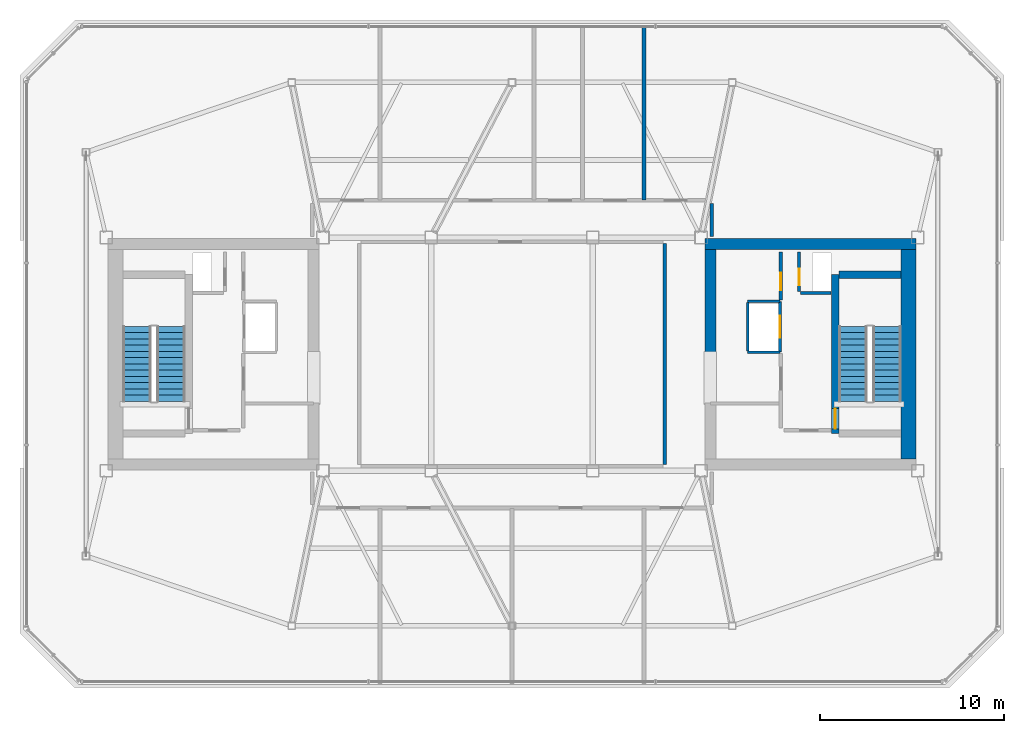
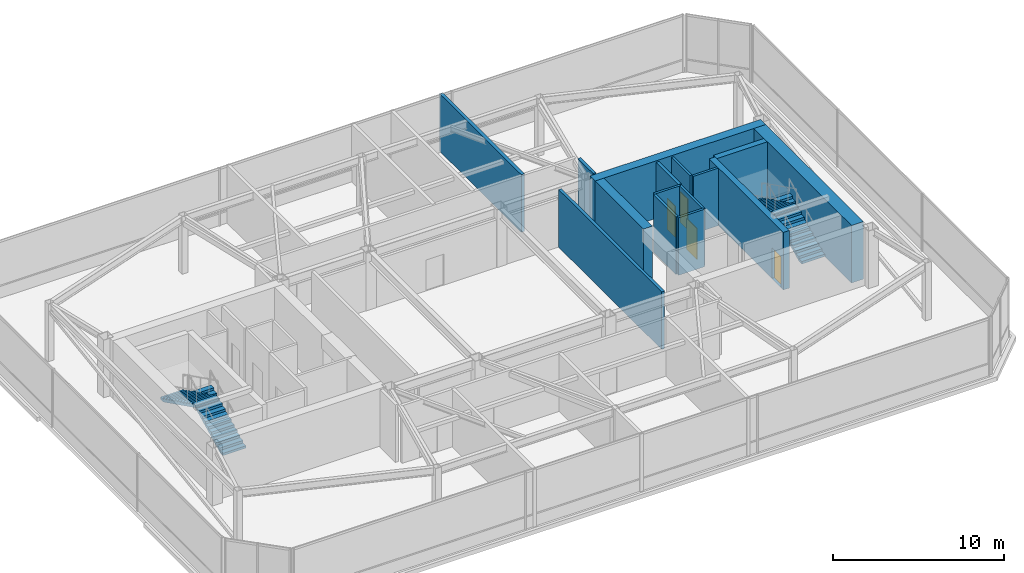
# One storey, part 18 of 21: 15 walls, 4 doors, 4 stair flights, 4 openings, 2 elements without a shape of their own.
"""IFC4 building model written with IfcOpenShell, lengths in metres."""

from ifc_helpers import new_model, si_unit, direction, frame, frame_2d, origin, place, context, subcontext, project, spatial, polyline, rectangle, outline, extrude, material, layer, layer_set, type_object, element, fill, aggregate, save


model = new_model("IFC4")

# Units and contexts
model_context = context("Model", 3, precision=1e-05, world=origin(), true_north=direction((0.0, 1.0)))
body_context = subcontext(model_context, "Body", "Model", "MODEL_VIEW")
ifc_project = project(units=[si_unit("LENGTHUNIT", "METRE"), si_unit("AREAUNIT", "SQUARE_METRE"), si_unit("VOLUMEUNIT", "CUBIC_METRE"), si_unit("PLANEANGLEUNIT", "RADIAN"), si_unit("MASSUNIT", "GRAM", prefix="KILO")], contexts=[model_context])

# Site, building, storey
site_placement = place(None, origin())
site = spatial("IfcSite", under=ifc_project, at=site_placement, CompositionType="ELEMENT")
building_placement = place(site_placement, origin())
building = spatial("IfcBuilding", under=site, at=building_placement, Name="Tavrogorsk Clinical Tower", CompositionType="ELEMENT")
storey_placement = place(building_placement, frame((0.0, 0.0, 344.199951171875)))
storey = spatial("IfcBuildingStorey", under=building, at=storey_placement, Name="L80", CompositionType="ELEMENT", Elevation=344.199951171875)

# Wall, opening, door
ifc_material_1 = material(Name="Concrete B60", Category="concrete")
ifc_layer_1 = layer(ifc_material_1, 0.199951171875)
ifc_layer_set_1 = layer_set([ifc_layer_1], Name="Concrete B60")
wall_type_1 = type_object("IfcWallType", Name="CoreFireWall_200", PredefinedType="SOLIDWALL", material=ifc_layer_set_1)
wall_1_placement = place(storey_placement, frame((14.639892578125, 2.9599609375, 0.0), z_axis=(0.0, 0.0, 1.0), x_axis=(0.0, 1.0, 0.0)))
wall_1 = element("IfcWall", 1, at=wall_1_placement, inside=storey, type_object=wall_type_1, Name="L80 Core East North Core Room East Wall", PredefinedType="SOLIDWALL", context=body_context, shape_type="SweptSolid", body=[
    extrude(rectangle(XDim=2.60009765625, YDim=0.199951171875, at=frame_2d((1.300048828125, 0.0))), origin(), (0.0, 0.0, 1.0), 4.10009765625),
])
opening_1_placement = place(wall_1_placement, frame((0.52001953125, 0.0, 0.0)))
opening_1 = element("IfcOpeningElement", 2, at=opening_1_placement, cuts=wall_1, Name="Opening ID-02", PredefinedType="OPENING", context=body_context, shape_type="SweptSolid", body=[
    extrude(rectangle(XDim=0.949951171875, YDim=2.199951171875, at=frame_2d((0.47509765625, 1.10009765625))), frame((0.0, 0.10986328125, 0.0), z_axis=(0.0, -1.0, 0.0), x_axis=(1.0, 0.0, 0.0)), (0.0, 0.0, 1.0), 0.219970703125),
])
ifc_material_2 = material(Name="Laminated timber leaf on aluminium frame", Category="wood")
door_type_1 = type_object("IfcDoorType", Name="InteriorDoor_ID02_950", OperationType="NOTDEFINED", PredefinedType="DOOR", material=ifc_material_2)
door_1_placement = place(opening_1_placement, origin())
door_1 = element("IfcDoor", 3, at=door_1_placement, inside=storey, type_object=door_type_1, Name="L80 Core East Core Telemetry Room Door", OperationType="SINGLE_SWING_LEFT", OverallHeight=2.199951171875, OverallWidth=0.949951171875, PredefinedType="DOOR", context=body_context, shape_type="SweptSolid", body=[
    extrude(rectangle(XDim=0.949951171875, YDim=2.199951171875, at=frame_2d((0.47509765625, 1.10009765625))), frame((0.0, 0.02490234375, 0.0), z_axis=(0.0, -1.0, 0.0), x_axis=(1.0, 0.0, 0.0)), (0.0, 0.0, 1.0), 0.050048828125),
])
fill(opening_1, door_1)

# Walls
wall_2_placement = place(storey_placement, frame((10.8798828125, 8.195068359375, 0.0), z_axis=(0.0, 0.0, 1.0), x_axis=(0.0, -1.0, 0.0)))
element("IfcWall", 4, at=wall_2_placement, inside=storey, type_object=wall_type_1, Name="L80 Crown Corridor Wall 04", PredefinedType="SOLIDWALL", context=body_context, shape_type="SweptSolid", body=[
    extrude(rectangle(XDim=1.775146484375, YDim=0.199951171875, at=frame_2d((0.8876953125, 0.0))), origin(), (0.0, 0.0, 1.0), 4.10009765625),
])
wall_3_placement = place(storey_placement, frame((8.320068359375, -6.014892578125, 0.0), z_axis=(0.0, 0.0, 1.0), x_axis=(0.0, 1.0, 0.0)))
element("IfcWall", 5, at=wall_3_placement, inside=storey, type_object=wall_type_1, Name="L80 Crown Corridor Wall 07", PredefinedType="SOLIDWALL", context=body_context, shape_type="SweptSolid", body=[
    extrude(rectangle(XDim=12.02978515625, YDim=0.199951171875, at=frame_2d((6.014892578125, 0.0))), origin(), (0.0, 0.0, 1.0), 4.10009765625),
])
ifc_material_3 = material(Name="Concrete B45", Category="concrete")
ifc_layer_2 = layer(ifc_material_3, 0.219970703125)
ifc_layer_set_2 = layer_set([ifc_layer_2], Name="Concrete B45")
wall_type_2 = type_object("IfcWallType", Name="PartitionWall_220", PredefinedType="SOLIDWALL", material=ifc_layer_set_2)
wall_4_placement = place(storey_placement, frame((7.199951171875, 8.405029296875, 0.0), z_axis=(0.0, 0.0, 1.0), x_axis=(0.0, 1.0, 0.0)))
element("IfcWall", 6, at=wall_4_placement, inside=storey, type_object=wall_type_2, Name="L80 Crown Partition 4", PredefinedType="SOLIDWALL", context=body_context, shape_type="SweptSolid", body=[
    extrude(rectangle(XDim=9.52490234375, YDim=0.219970703125, at=frame_2d((4.762451171875, 0.0))), origin(), (0.0, 0.0, 1.0), 4.10009765625),
])

# Wall, opening, door
ifc_material_4 = material(Name="Lightweight concrete blockwork B25", Category="masonry")
ifc_layer_3 = layer(ifc_material_4, 0.159912109375)
ifc_layer_set_3 = layer_set([ifc_layer_3], Name="Lightweight concrete blockwork B25")
wall_type_3 = type_object("IfcWallType", Name="ShaftWall_160", PredefinedType="PARTITIONING", material=ifc_layer_set_3)
wall_5_placement = place(storey_placement, frame((14.60009765625, 0.1201171875, 0.0), z_axis=(0.0, 0.0, 1.0), x_axis=(0.0, 1.0, 0.0)))
wall_5 = element("IfcWall", 7, at=wall_5_placement, inside=storey, type_object=wall_type_3, Name="L80 FFL-E Firefighting Lift Front Wall", PredefinedType="PARTITIONING", context=body_context, shape_type="SweptSolid", body=[
    extrude(rectangle(XDim=2.739990234375, YDim=0.159912109375, at=frame_2d((1.3701171875, 0.0))), origin(), (0.0, 0.0, 1.0), 4.10009765625),
])
opening_2_placement = place(wall_5_placement, frame((0.77001953125, 0.0, 0.0)))
opening_2 = element("IfcOpeningElement", 8, at=opening_2_placement, cuts=wall_5, Name="Opening LD", PredefinedType="OPENING", context=body_context, shape_type="SweptSolid", body=[
    extrude(rectangle(XDim=1.199951171875, YDim=2.199951171875, at=frame_2d((0.60009765625, 1.10009765625))), frame((0.0, 0.08984375, 0.0), z_axis=(0.0, -1.0, 0.0), x_axis=(1.0, 0.0, 0.0)), (0.0, 0.0, 1.0), 0.179931640625),
])
ifc_material_5 = material(Name="Brushed stainless steel AISI 304 sliding doors", Category="steel")
door_type_2 = type_object("IfcDoorType", Name="LiftLandingDoor_LD_1200", OperationType="SLIDING_TO_LEFT", PredefinedType="DOOR", material=ifc_material_5)
door_2_placement = place(opening_2_placement, origin())
door_2 = element("IfcDoor", 9, at=door_2_placement, inside=storey, type_object=door_type_2, Name="L80 FFL-E Sliding Lift Landing Door", OperationType="SLIDING_TO_LEFT", OverallHeight=2.199951171875, OverallWidth=1.199951171875, PredefinedType="DOOR", context=body_context, shape_type="SweptSolid", body=[
    extrude(rectangle(XDim=1.199951171875, YDim=2.199951171875, at=frame_2d((0.60009765625, 1.10009765625))), frame((0.0, 0.02490234375, 0.0), z_axis=(0.0, -1.0, 0.0), x_axis=(1.0, 0.0, 0.0)), (0.0, 0.0, 1.0), 0.050048828125),
])
fill(opening_2, door_2)

# Walls
for number, where, z_axis, x_axis, name in (
    (10, (12.840087890625, 0.10009765625, 0.0), (0.0, 0.0, 1.0), (1.0, 0.0, 0.0), "L80 FFL-E Shaft South Wall"),
    (11, (12.840087890625, 2.8798828125, 0.0), (0.0, 0.0, 1.0), (1.0, 0.0, 0.0), "L80 FFL-E Shaft North Wall"),
):
    element("IfcWall", number, at=place(storey_placement, frame(where, z_axis=z_axis, x_axis=x_axis)), inside=storey, type_object=wall_type_3, Name=name, PredefinedType="PARTITIONING", context=body_context, shape_type="SweptSolid", body=[
        extrude(rectangle(XDim=1.760009765625, YDim=0.159912109375, at=frame_2d((0.8798828125, 0.0))), origin(), (0.0, 0.0, 1.0), 4.10009765625),
    ])
wall_6_placement = place(storey_placement, frame((12.840087890625, 0.179931640625, 0.0), z_axis=(0.0, 0.0, 1.0), x_axis=(0.0, 1.0, 0.0)))
element("IfcWall", 12, at=wall_6_placement, inside=storey, type_object=wall_type_3, Name="L80 FFL-E Shaft Back Wall", PredefinedType="PARTITIONING", context=body_context, shape_type="SweptSolid", body=[
    extrude(rectangle(XDim=2.6201171875, YDim=0.159912109375, at=frame_2d((1.31005859375, 0.0))), origin(), (0.0, 0.0, 1.0), 4.10009765625),
])

# Wall, opening, door
wall_7_placement = place(storey_placement, frame((15.639892578125, 3.405029296875, 0.0), z_axis=(0.0, 0.0, 1.0), x_axis=(0.0, 1.0, 0.0)))
wall_7 = element("IfcWall", 13, at=wall_7_placement, inside=storey, type_object=wall_type_3, Name="L80 Core East Riser West Wall", PredefinedType="PARTITIONING", context=body_context, shape_type="SweptSolid", body=[
    extrude(rectangle(XDim=2.155029296875, YDim=0.159912109375, at=frame_2d((1.07763671875, 0.0))), origin(), (0.0, 0.0, 1.0), 4.10009765625),
])
opening_3_placement = place(wall_7_placement, frame((0.35009765625, 0.0, 0.0)))
opening_3 = element("IfcOpeningElement", 14, at=opening_3_placement, cuts=wall_7, Name="Opening FD-02", PredefinedType="OPENING", context=body_context, shape_type="SweptSolid", body=[
    extrude(rectangle(XDim=0.89990234375, YDim=2.199951171875, at=frame_2d((0.449951171875, 1.10009765625))), frame((0.0, 0.08984375, 0.0), z_axis=(0.0, -1.0, 0.0), x_axis=(1.0, 0.0, 0.0)), (0.0, 0.0, 1.0), 0.179931640625),
])
ifc_material_6 = material(Name="Galvanised steel fire-rated door assembly", Category="steel")
door_type_3 = type_object("IfcDoorType", Name="FireDoor_FD02_900", OperationType="NOTDEFINED", PredefinedType="DOOR", material=ifc_material_6)
door_3_placement = place(opening_3_placement, origin())
door_3 = element("IfcDoor", 15, at=door_3_placement, inside=storey, type_object=door_type_3, Name="L80 Core East Electrical Riser Access Door", OperationType="SINGLE_SWING_LEFT", OverallHeight=2.199951171875, OverallWidth=0.89990234375, PredefinedType="DOOR", context=body_context, shape_type="SweptSolid", body=[
    extrude(rectangle(XDim=0.89990234375, YDim=2.199951171875, at=frame_2d((0.449951171875, 1.10009765625))), frame((0.0, 0.02490234375, 0.0), z_axis=(0.0, -1.0, 0.0), x_axis=(1.0, 0.0, 0.0)), (0.0, 0.0, 1.0), 0.050048828125),
])
fill(opening_3, door_3)

# Wall
wall_8_placement = place(storey_placement, frame((15.72509765625, 3.320068359375, 0.0), z_axis=(0.0, 0.0, 1.0), x_axis=(1.0, 0.0, 0.0)))
element("IfcWall", 16, at=wall_8_placement, inside=storey, type_object=wall_type_3, Name="L80 Core East Riser South Wall", PredefinedType="PARTITIONING", context=body_context, shape_type="SweptSolid", body=[
    extrude(rectangle(XDim=1.65478515625, YDim=0.159912109375, at=frame_2d((0.827392578125, 0.0))), origin(), (0.0, 0.0, 1.0), 4.10009765625),
])

# Wall, opening, door
ifc_material_7 = material(Name="Concrete B80", Category="concrete")
ifc_layer_4 = layer(ifc_material_7, 0.39990234375)
ifc_layer_set_4 = layer_set([ifc_layer_4], Name="Concrete B80")
wall_type_4 = type_object("IfcWallType", Name="ShearWall_400", PredefinedType="SHEAR", material=ifc_layer_set_4)
wall_9_placement = place(storey_placement, frame((17.60009765625, -4.324951171875, 0.0), z_axis=(0.0, 0.0, 1.0), x_axis=(0.0, 1.0, 0.0)))
wall_9 = element("IfcWall", 17, at=wall_9_placement, inside=storey, type_object=wall_type_4, Name="L80 Core East Stair Shaft Inner Shear Wall", PredefinedType="SHEAR", context=body_context, shape_type="SweptSolid", body=[
    extrude(rectangle(XDim=8.64990234375, YDim=0.39990234375, at=frame_2d((4.324951171875, 0.0))), origin(), (0.0, 0.0, 1.0), 4.10009765625),
])
opening_4_placement = place(wall_9_placement, frame((0.25, 0.0, 0.0)))
opening_4 = element("IfcOpeningElement", 18, at=opening_4_placement, cuts=wall_9, Name="Opening SD-01", PredefinedType="OPENING", context=body_context, shape_type="SweptSolid", body=[
    extrude(rectangle(XDim=1.10009765625, YDim=2.199951171875, at=frame_2d((0.550048828125, 1.10009765625))), frame((0.0, 0.2099609375, 0.0), z_axis=(0.0, -1.0, 0.0), x_axis=(1.0, 0.0, 0.0)), (0.0, 0.0, 1.0), 0.419921875),
])
ifc_material_8 = material(Name="Galvanised steel smoke-tight fire door assembly", Category="steel")
door_type_4 = type_object("IfcDoorType", Name="StairFireDoor_SD01_1100", OperationType="NOTDEFINED", PredefinedType="DOOR", material=ifc_material_8)
door_4_placement = place(opening_4_placement, origin())
door_4 = element("IfcDoor", 19, at=door_4_placement, inside=storey, type_object=door_type_4, Name="L80 ST-E Exit Stair Door", OperationType="SINGLE_SWING_RIGHT", OverallHeight=2.199951171875, OverallWidth=1.10009765625, PredefinedType="DOOR", context=body_context, shape_type="SweptSolid", body=[
    extrude(rectangle(XDim=1.10009765625, YDim=2.199951171875, at=frame_2d((0.550048828125, 1.10009765625))), frame((0.0, 0.02490234375, 0.0), z_axis=(0.0, -1.0, 0.0), x_axis=(1.0, 0.0, 0.0)), (0.0, 0.0, 1.0), 0.050048828125),
])
fill(opening_4, door_4)

# Walls
wall_10_placement = place(storey_placement, frame((17.800048828125, 4.324951171875, 0.0), z_axis=(0.0, 0.0, 1.0), x_axis=(1.0, 0.0, 0.0)))
element("IfcWall", 20, at=wall_10_placement, inside=storey, type_object=wall_type_4, Name="L80 Core East Stair Shaft North Shear Wall", PredefinedType="SHEAR", context=body_context, shape_type="SweptSolid", body=[
    extrude(rectangle(XDim=3.39990234375, YDim=0.39990234375, at=frame_2d((1.699951171875, 0.0))), origin(), (0.0, 0.0, 1.0), 4.10009765625),
])
ifc_material_9 = material(Name="Concrete B80", Category="concrete")
ifc_layer_5 = layer(ifc_material_9, 0.60009765625)
ifc_layer_set_5 = layer_set([ifc_layer_5], Name="Concrete B80")
wall_type_5 = type_object("IfcWallType", Name="ShearWall_600", PredefinedType="SHEAR", material=ifc_layer_set_5)
wall_11_placement = place(storey_placement, frame((10.5, 6.0, 0.0), z_axis=(0.0, 0.0, 1.0), x_axis=(1.0, 0.0, 0.0)))
element("IfcWall", 21, at=wall_11_placement, inside=storey, type_object=wall_type_5, Name="L80 Core East North Shear Wall", PredefinedType="SHEAR", context=body_context, shape_type="SweptSolid", body=[
    extrude(rectangle(XDim=11.5, YDim=0.60009765625, at=frame_2d((5.75, 0.0))), origin(), (0.0, 0.0, 1.0), 4.10009765625),
])
wall_12_placement = place(storey_placement, frame((10.800048828125, 0.050048828125, 0.0), z_axis=(0.0, 0.0, 1.0), x_axis=(0.0, 1.0, 0.0)))
element("IfcWall", 22, at=wall_12_placement, inside=storey, type_object=wall_type_5, Name="L80 Core East Inner North Pier", PredefinedType="SHEAR", context=body_context, shape_type="SweptSolid", body=[
    extrude(rectangle(XDim=5.64990234375, YDim=0.60009765625, at=frame_2d((2.824951171875, 0.0))), origin(), (0.0, 0.0, 1.0), 4.10009765625),
])
ifc_material_10 = material(Name="Concrete B80", Category="concrete")
ifc_layer_6 = layer(ifc_material_10, 0.800048828125)
ifc_layer_set_6 = layer_set([ifc_layer_6], Name="Concrete B80")
wall_type_6 = type_object("IfcWallType", Name="ShearWall_800", PredefinedType="SHEAR", material=ifc_layer_set_6)
wall_13_placement = place(storey_placement, frame((21.60009765625, -5.699951171875, 0.0), z_axis=(0.0, 0.0, 1.0), x_axis=(0.0, 1.0, 0.0)))
element("IfcWall", 23, at=wall_13_placement, inside=storey, type_object=wall_type_6, Name="L80 Core East End Shear Wall", PredefinedType="SHEAR", context=body_context, shape_type="SweptSolid", body=[
    extrude(rectangle(XDim=11.39990234375, YDim=0.800048828125, at=frame_2d((5.699951171875, 0.0))), origin(), (0.0, 0.0, 1.0), 4.10009765625),
])

# Stair, stair flights
ifc_material_11 = material(Name="Concrete B60", Category="concrete")
stair_type = type_object("IfcStairType", Name="CoreStairAssembly", PredefinedType="HALF_TURN_STAIR", material=ifc_material_11)
stair_1_placement = place(storey_placement, origin())
stair_1 = element("IfcStair", 24, at=stair_1_placement, inside=storey, type_object=stair_type, Name="L80 ST-W", PredefinedType="HALF_TURN_STAIR")
ifc_material_12 = material(Name="Concrete B60", Category="concrete")
stair_flight_type = type_object("IfcStairFlightType", Name="CoreStairFlight", PredefinedType="STRAIGHT", material=ifc_material_12)
stair_flight_1_placement = place(storey_placement, frame((-18.574951171875, -2.574951171875, 0.0), z_axis=(0.0, 0.0, 1.0), x_axis=(0.0, 1.0, 0.0)))
stair_flight_1 = element("IfcStairFlight", 25, at=stair_flight_1_placement, type_object=stair_flight_type, Name="ST-W flight 1", NumberOfRisers=13, NumberOfTreads=12, PredefinedType="STRAIGHT", RiserHeight=0.169230769, TreadLength=0.34, context=body_context, shape_type="SweptSolid", body=[
    extrude(outline(polyline([(0.0, 0.0), (0.0, 0.169189453125), (0.340087890625, 0.169189453125), (0.340087890625, 0.33837890625), (0.679931640625, 0.33837890625), (0.679931640625, 0.5078125), (1.02001953125, 0.5078125), (1.02001953125, 0.677001953125), (1.360107421875, 0.677001953125), (1.360107421875, 0.84619140625), (1.699951171875, 0.84619140625), (1.699951171875, 1.015380859375), (2.0400390625, 1.015380859375), (2.0400390625, 1.1845703125), (2.3798828125, 1.1845703125), (2.3798828125, 1.353759765625), (2.719970703125, 1.353759765625), (2.719970703125, 1.523193359375), (3.06005859375, 1.523193359375), (3.06005859375, 1.6923828125), (3.39990234375, 1.6923828125), (3.39990234375, 1.861572265625), (3.739990234375, 1.861572265625), (3.739990234375, 2.03076171875), (4.080078125, 2.03076171875), (4.080078125, 2.199951171875), (4.080078125, 1.86328125), (0.33642578125, 0.0), (0.0, 0.0)])), frame((0.0, 0.77490234375, 0.0), z_axis=(0.0, -1.0, 0.0), x_axis=(1.0, 0.0, 0.0)), (0.0, 0.0, 1.0), 1.550048828125),
])
stair_flight_2_placement = place(storey_placement, frame((-20.425048828125, 1.5048828125, 2.199951171875), z_axis=(0.0, 0.0, 1.0), x_axis=(0.0, -1.0, 0.0)))
stair_flight_2 = element("IfcStairFlight", 26, at=stair_flight_2_placement, type_object=stair_flight_type, Name="ST-W flight 2", NumberOfRisers=13, NumberOfTreads=12, PredefinedType="STRAIGHT", RiserHeight=0.169230769, TreadLength=0.34, context=body_context, shape_type="SweptSolid", body=[
    extrude(outline(polyline([(0.0, 0.0), (0.0, 0.169189453125), (0.340087890625, 0.169189453125), (0.340087890625, 0.33837890625), (0.679931640625, 0.33837890625), (0.679931640625, 0.5078125), (1.02001953125, 0.5078125), (1.02001953125, 0.677001953125), (1.360107421875, 0.677001953125), (1.360107421875, 0.84619140625), (1.699951171875, 0.84619140625), (1.699951171875, 1.015380859375), (2.0400390625, 1.015380859375), (2.0400390625, 1.1845703125), (2.3798828125, 1.1845703125), (2.3798828125, 1.353759765625), (2.719970703125, 1.353759765625), (2.719970703125, 1.523193359375), (3.06005859375, 1.523193359375), (3.06005859375, 1.6923828125), (3.39990234375, 1.6923828125), (3.39990234375, 1.861572265625), (3.739990234375, 1.861572265625), (3.739990234375, 2.03076171875), (4.080078125, 2.03076171875), (4.080078125, 2.199951171875), (4.080078125, 1.86328125), (0.33642578125, 0.0), (0.0, 0.0)])), frame((0.0, 0.77490234375, 0.0), z_axis=(0.0, -1.0, 0.0), x_axis=(1.0, 0.0, 0.0)), (0.0, 0.0, 1.0), 1.550048828125),
])
aggregate(stair_1, [stair_flight_1, stair_flight_2])

stair_2_placement = place(storey_placement, origin())
stair_2 = element("IfcStair", 27, at=stair_2_placement, inside=storey, type_object=stair_type, Name="L80 ST-E", PredefinedType="HALF_TURN_STAIR")
stair_flight_3_placement = place(storey_placement, frame((20.425048828125, -2.574951171875, 0.0), z_axis=(0.0, 0.0, 1.0), x_axis=(0.0, 1.0, 0.0)))
stair_flight_3 = element("IfcStairFlight", 28, at=stair_flight_3_placement, type_object=stair_flight_type, Name="ST-E flight 1", NumberOfRisers=13, NumberOfTreads=12, PredefinedType="STRAIGHT", RiserHeight=0.169230769, TreadLength=0.34, context=body_context, shape_type="SweptSolid", body=[
    extrude(outline(polyline([(0.0, 0.0), (0.0, 0.169189453125), (0.340087890625, 0.169189453125), (0.340087890625, 0.33837890625), (0.679931640625, 0.33837890625), (0.679931640625, 0.5078125), (1.02001953125, 0.5078125), (1.02001953125, 0.677001953125), (1.360107421875, 0.677001953125), (1.360107421875, 0.84619140625), (1.699951171875, 0.84619140625), (1.699951171875, 1.015380859375), (2.0400390625, 1.015380859375), (2.0400390625, 1.1845703125), (2.3798828125, 1.1845703125), (2.3798828125, 1.353759765625), (2.719970703125, 1.353759765625), (2.719970703125, 1.523193359375), (3.06005859375, 1.523193359375), (3.06005859375, 1.6923828125), (3.39990234375, 1.6923828125), (3.39990234375, 1.861572265625), (3.739990234375, 1.861572265625), (3.739990234375, 2.03076171875), (4.080078125, 2.03076171875), (4.080078125, 2.199951171875), (4.080078125, 1.86328125), (0.33642578125, 0.0), (0.0, 0.0)])), frame((0.0, 0.77490234375, 0.0), z_axis=(0.0, -1.0, 0.0), x_axis=(1.0, 0.0, 0.0)), (0.0, 0.0, 1.0), 1.550048828125),
])
stair_flight_4_placement = place(storey_placement, frame((18.574951171875, 1.5048828125, 2.199951171875), z_axis=(0.0, 0.0, 1.0), x_axis=(0.0, -1.0, 0.0)))
stair_flight_4 = element("IfcStairFlight", 29, at=stair_flight_4_placement, type_object=stair_flight_type, Name="ST-E flight 2", NumberOfRisers=13, NumberOfTreads=12, PredefinedType="STRAIGHT", RiserHeight=0.169230769, TreadLength=0.34, context=body_context, shape_type="SweptSolid", body=[
    extrude(outline(polyline([(0.0, 0.0), (0.0, 0.169189453125), (0.340087890625, 0.169189453125), (0.340087890625, 0.33837890625), (0.679931640625, 0.33837890625), (0.679931640625, 0.5078125), (1.02001953125, 0.5078125), (1.02001953125, 0.677001953125), (1.360107421875, 0.677001953125), (1.360107421875, 0.84619140625), (1.699951171875, 0.84619140625), (1.699951171875, 1.015380859375), (2.0400390625, 1.015380859375), (2.0400390625, 1.1845703125), (2.3798828125, 1.1845703125), (2.3798828125, 1.353759765625), (2.719970703125, 1.353759765625), (2.719970703125, 1.523193359375), (3.06005859375, 1.523193359375), (3.06005859375, 1.6923828125), (3.39990234375, 1.6923828125), (3.39990234375, 1.861572265625), (3.739990234375, 1.861572265625), (3.739990234375, 2.03076171875), (4.080078125, 2.03076171875), (4.080078125, 2.199951171875), (4.080078125, 1.86328125), (0.33642578125, 0.0), (0.0, 0.0)])), frame((0.0, 0.77490234375, 0.0), z_axis=(0.0, -1.0, 0.0), x_axis=(1.0, 0.0, 0.0)), (0.0, 0.0, 1.0), 1.550048828125),
])
aggregate(stair_2, [stair_flight_3, stair_flight_4])

save(model, "model.ifc")
